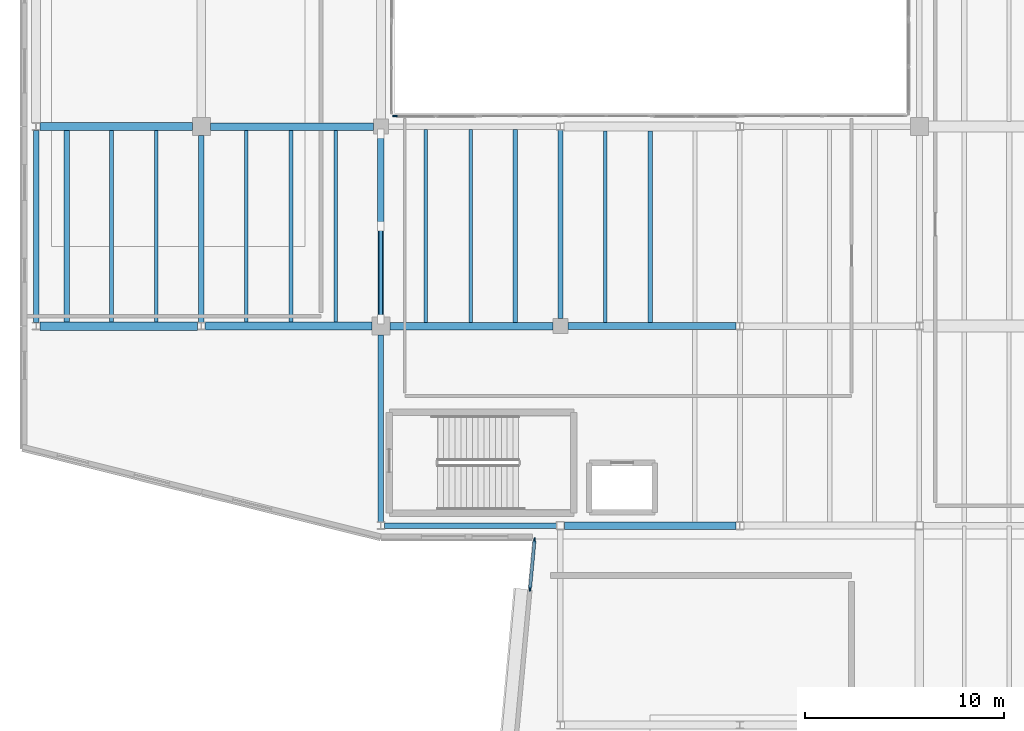
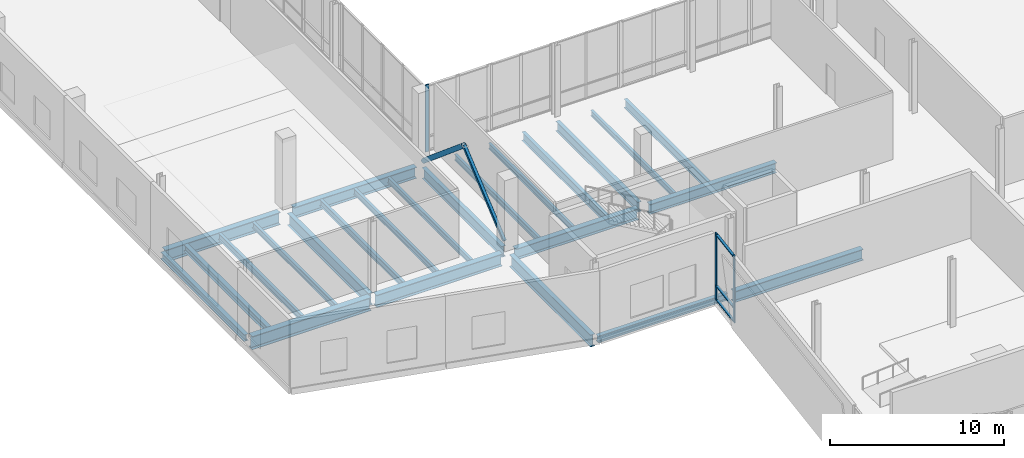
# One storey, part 18 of 73: 24 beams, 8 members, 2 elements without a shape of their own.
"""IFC4 building model written with IfcOpenShell, lengths in metres."""

from ifc_helpers import new_model, si_unit, direction, frame, origin, origin_2d, place, context, subcontext, project, spatial, rectangle, hollow_rectangle, hollow_circle, i_section, extrude, material, material_profile, profile_set, type_object, element, aggregate, save


model = new_model("IFC4")

# Units and contexts
model_context = context("Model", 3, precision=1e-05, world=origin(), true_north=direction((0.0, 1.0)))
body_context = subcontext(model_context, "Body", "Model", "MODEL_VIEW")
ifc_project = project(units=[si_unit("LENGTHUNIT", "METRE"), si_unit("AREAUNIT", "SQUARE_METRE"), si_unit("VOLUMEUNIT", "CUBIC_METRE"), si_unit("PLANEANGLEUNIT", "RADIAN"), si_unit("MASSUNIT", "GRAM", prefix="KILO")], contexts=[model_context])

# Site, building, storey
site_placement = place(None, origin())
site = spatial("IfcSite", under=ifc_project, at=site_placement, CompositionType="ELEMENT")
building_placement = place(site_placement, origin())
building = spatial("IfcBuilding", under=site, at=building_placement, Name="Trimount Lyric Opera House", CompositionType="ELEMENT")
storey_placement = place(building_placement, frame((0.0, 0.0, 10.0)))
storey = spatial("IfcBuildingStorey", under=building, at=storey_placement, Name="L02", CompositionType="ELEMENT", Elevation=10.0)

# Beams
ifc_material_1 = material(Name="Steel ASTM A992 Grade 50", Category="steel")
ifc_material_profile_1 = material_profile(ifc_material_1, i_section(OverallWidth=0.4189453125, OverallDepth=0.927001953125, WebThickness=0.019287109375, FlangeThickness=0.031982421875, FilletRadius=0.02392578125, at=origin_2d()), Name="W36X231")
ifc_profile_set_1 = profile_set([ifc_material_profile_1], Name="Steel ASTM A992 Grade 50")
beam_type_1 = type_object("IfcBeamType", Name="B-02", PredefinedType="BEAM", material=ifc_profile_set_1)
beam_1_placement = place(storey_placement, frame((0.904052734375, 64.0, -0.743408203125), z_axis=(1.0, 0.0, 0.0), x_axis=(0.0, 1.0, 0.0)))
element("IfcBeam", 1, at=beam_1_placement, inside=storey, type_object=beam_type_1, Name="L02 girder X-0749", PredefinedType="BEAM", context=body_context, shape_type="SweptSolid", body=[
    extrude(i_section(OverallWidth=0.4189453125, OverallDepth=0.927001953125, WebThickness=0.019287109375, FlangeThickness=0.031982421875, FilletRadius=0.02392578125, at=origin_2d()), origin(), (0.0, 0.0, 1.0), 7.909423828125),
])
ifc_material_2 = material(Name="Steel ASTM A992 Grade 50", Category="steel")
ifc_material_profile_2 = material_profile(ifc_material_2, i_section(OverallWidth=0.40087890625, OverallDepth=0.861083984375, WebThickness=0.019775390625, FlangeThickness=0.032470703125, FilletRadius=0.02001953125, at=origin_2d()), Name="W33X221")
ifc_profile_set_2 = profile_set([ifc_material_profile_2], Name="Steel ASTM A992 Grade 50")
beam_type_2 = type_object("IfcBeamType", Name="B-04", PredefinedType="BEAM", material=ifc_profile_set_2)
beam_2_placement = place(storey_placement, frame((9.1865234375, 64.0, -0.71044921875), z_axis=(1.0, 0.0, 0.0), x_axis=(0.0, 1.0, 0.0)))
element("IfcBeam", 2, at=beam_2_placement, inside=storey, type_object=beam_type_2, Name="L02 girder X-0750", PredefinedType="BEAM", context=body_context, shape_type="SweptSolid", body=[
    extrude(i_section(OverallWidth=0.40087890625, OverallDepth=0.861083984375, WebThickness=0.019775390625, FlangeThickness=0.032470703125, FilletRadius=0.02001953125, at=origin_2d()), origin(), (0.0, 0.0, 1.0), 8.363525390625),
])
beam_3_placement = place(storey_placement, frame((0.906494140625, 74.0, -0.71044921875), z_axis=(1.0, 0.0, 0.0), x_axis=(0.0, 1.0, 0.0)))
element("IfcBeam", 3, at=beam_3_placement, inside=storey, type_object=beam_type_2, Name="L02 girder X-0761", PredefinedType="BEAM", context=body_context, shape_type="SweptSolid", body=[
    extrude(i_section(OverallWidth=0.40087890625, OverallDepth=0.861083984375, WebThickness=0.019775390625, FlangeThickness=0.032470703125, FilletRadius=0.02001953125, at=origin_2d()), origin(), (0.0, 0.0, 1.0), 7.6435546875),
])
ifc_material_3 = material(Name="Steel ASTM A992 Grade 50", Category="steel")
ifc_material_profile_3 = material_profile(ifc_material_3, i_section(OverallWidth=0.2919921875, OverallDepth=0.845947265625, WebThickness=0.015380859375, FlangeThickness=0.0244140625, FilletRadius=0.01806640625, at=origin_2d()), Name="W33X141")
ifc_profile_set_3 = profile_set([ifc_material_profile_3], Name="Steel ASTM A992 Grade 50")
beam_type_3 = type_object("IfcBeamType", Name="B-05", PredefinedType="BEAM", material=ifc_profile_set_3)
for number, where, z_axis, x_axis, name in (
    (4, (9.0, 64.18408203125, -0.702880859375), (0.0, 1.0, 0.0), (-1.0, 0.0, 0.0), "L02 girder Y-0835"),
    (5, (18.0, 54.18408203125, -0.702880859375), (0.0, 1.0, 0.0), (-1.0, 0.0, 0.0), "L02 girder Y-0838"),
):
    element("IfcBeam", number, at=place(storey_placement, frame(where, z_axis=z_axis, x_axis=x_axis)), inside=storey, type_object=beam_type_3, Name=name, PredefinedType="BEAM", context=body_context, shape_type="SweptSolid", body=[
        extrude(i_section(OverallWidth=0.2919921875, OverallDepth=0.845947265625, WebThickness=0.015380859375, FlangeThickness=0.0244140625, FilletRadius=0.01806640625, at=origin_2d()), origin(), (0.0, 0.0, 1.0), 9.365966796875),
    ])
ifc_material_4 = material(Name="Steel ASTM A992 Grade 50", Category="steel")
ifc_material_profile_4 = material_profile(ifc_material_4, i_section(OverallWidth=0.382080078125, OverallDepth=0.779052734375, WebThickness=0.01806640625, FlangeThickness=0.0302734375, FilletRadius=0.01904296875, at=origin_2d()), Name="W30X191")
ifc_profile_set_4 = profile_set([ifc_material_profile_4], Name="Steel ASTM A992 Grade 50")
beam_type_4 = type_object("IfcBeamType", Name="B-06", PredefinedType="BEAM", material=ifc_profile_set_4)
beam_4_placement = place(storey_placement, frame((27.203125, 54.0, -0.66943359375), z_axis=(1.0, 0.0, 0.0), x_axis=(0.0, 1.0, 0.0)))
element("IfcBeam", 6, at=beam_4_placement, inside=storey, type_object=beam_type_4, Name="L02 girder X-0736", PredefinedType="BEAM", context=body_context, shape_type="SweptSolid", body=[
    extrude(i_section(OverallWidth=0.382080078125, OverallDepth=0.779052734375, WebThickness=0.01806640625, FlangeThickness=0.0302734375, FilletRadius=0.01904296875, at=origin_2d()), origin(), (0.0, 0.0, 1.0), 8.593994140625),
])
for number, where, z_axis, x_axis, name in (
    (7, (18.449951171875, 64.0, -0.66943359375), (1.0, 0.0, 0.0), (0.0, 1.0, 0.0), "L02 girder X-0751"),
    (8, (9.449951171875, 74.0, -0.66943359375), (1.0, 0.0, 0.0), (0.0, 1.0, 0.0), "L02 girder X-0762"),
):
    element("IfcBeam", number, at=place(storey_placement, frame(where, z_axis=z_axis, x_axis=x_axis)), inside=storey, type_object=beam_type_4, Name=name, PredefinedType="BEAM", context=body_context, shape_type="SweptSolid", body=[
        extrude(i_section(OverallWidth=0.382080078125, OverallDepth=0.779052734375, WebThickness=0.01806640625, FlangeThickness=0.0302734375, FilletRadius=0.01904296875, at=origin_2d()), origin(), (0.0, 0.0, 1.0), 8.175048828125),
    ])
ifc_material_5 = material(Name="Steel ASTM A992 Grade 50", Category="steel")
ifc_material_profile_5 = material_profile(ifc_material_5, i_section(OverallWidth=0.26708984375, OverallDepth=0.761962890625, WebThickness=0.014404296875, FlangeThickness=0.021484375, FilletRadius=0.01708984375, at=origin_2d()), Name="W30X116")
ifc_profile_set_5 = profile_set([ifc_material_profile_5], Name="Steel ASTM A992 Grade 50")
beam_type_5 = type_object("IfcBeamType", Name="B-07", PredefinedType="BEAM", material=ifc_profile_set_5)
beam_5_placement = place(storey_placement, frame((18.0, 64.449951171875, -0.660888671875), z_axis=(0.0, 1.0, 0.0), x_axis=(-1.0, 0.0, 0.0)))
element("IfcBeam", 9, at=beam_5_placement, inside=storey, type_object=beam_type_5, Name="L02 girder Y-0839", PredefinedType="BEAM", context=body_context, shape_type="SweptSolid", body=[
    extrude(i_section(OverallWidth=0.26708984375, OverallDepth=0.761962890625, WebThickness=0.014404296875, FlangeThickness=0.021484375, FilletRadius=0.01708984375, at=origin_2d()), origin(), (0.0, 0.0, 1.0), 9.175048828125),
])
ifc_material_6 = material(Name="Steel ASTM A992 Grade 50", Category="steel")
ifc_material_profile_6 = material_profile(ifc_material_6, i_section(OverallWidth=0.35595703125, OverallDepth=0.700927734375, WebThickness=0.016845703125, FlangeThickness=0.02734375, FilletRadius=0.01806640625, at=origin_2d()), Name="W27X161")
ifc_profile_set_6 = profile_set([ifc_material_profile_6], Name="Steel ASTM A992 Grade 50")
beam_type_6 = type_object("IfcBeamType", Name="B-08", PredefinedType="BEAM", material=ifc_profile_set_6)
beam_6_placement = place(storey_placement, frame((27.375, 64.0, -0.630615234375), z_axis=(1.0, 0.0, 0.0), x_axis=(0.0, 1.0, 0.0)))
element("IfcBeam", 10, at=beam_6_placement, inside=storey, type_object=beam_type_6, Name="L02 girder X-0752", PredefinedType="BEAM", context=body_context, shape_type="SweptSolid", body=[
    extrude(i_section(OverallWidth=0.35595703125, OverallDepth=0.700927734375, WebThickness=0.016845703125, FlangeThickness=0.02734375, FilletRadius=0.01806640625, at=origin_2d()), origin(), (0.0, 0.0, 1.0), 8.44091796875),
])
ifc_material_7 = material(Name="Steel ASTM A992 Grade 50", Category="steel")
ifc_material_profile_7 = material_profile(ifc_material_7, i_section(OverallWidth=0.25390625, OverallDepth=0.68798828125, WebThickness=0.01318359375, FlangeThickness=0.02099609375, FilletRadius=0.01611328125, at=origin_2d()), Name="W27X102")
ifc_profile_set_7 = profile_set([ifc_material_profile_7], Name="Steel ASTM A992 Grade 50")
beam_type_7 = type_object("IfcBeamType", Name="B-09", PredefinedType="BEAM", material=ifc_profile_set_7)
beam_7_placement = place(storey_placement, frame((27.0, 64.375, -0.6240234375), z_axis=(0.0, 1.0, 0.0), x_axis=(-1.0, 0.0, 0.0)))
element("IfcBeam", 11, at=beam_7_placement, inside=storey, type_object=beam_type_7, Name="L02 girder Y-0846", PredefinedType="BEAM", context=body_context, shape_type="SweptSolid", body=[
    extrude(i_section(OverallWidth=0.25390625, OverallDepth=0.68798828125, WebThickness=0.01318359375, FlangeThickness=0.02099609375, FilletRadius=0.01611328125, at=origin_2d()), origin(), (0.0, 0.0, 1.0), 9.447021484375),
])

# Members
ifc_material_8 = material(Name="Steel ASTM A500 Grade C", Category="steel")
ifc_material_profile_8 = material_profile(ifc_material_8, hollow_rectangle(XDim=0.203125, YDim=0.203125, WallThickness=0.0087890625, InnerFilletRadius=0.00927734375, OuterFilletRadius=0.01806640625, at=origin_2d()), Name="HSS203.2X203.2X9.5")
ifc_profile_set_8 = profile_set([ifc_material_profile_8], Name="Steel ASTM A500 Grade C")
member_type_1 = type_object("IfcMemberType", Name="BR-04", PredefinedType="BRACE", material=ifc_profile_set_8)
member_1_placement = place(storey_placement, frame((18.0, 64.35009765625, 0.14990234375), z_axis=(0.0, 0.766173014074, 0.642634353661), x_axis=(-1.0, 0.0, 0.0)))
element("IfcMember", 12, at=member_1_placement, inside=storey, type_object=member_type_1, Name="L02 lateral chevron brace BF-1.1", PredefinedType="BRACE", context=body_context, shape_type="SweptSolid", body=[
    extrude(hollow_rectangle(XDim=0.203125, YDim=0.203125, WallThickness=0.0087890625, InnerFilletRadius=0.00927734375, OuterFilletRadius=0.01806640625, at=origin_2d()), origin(), (0.0, 0.0, 1.0), 6.069091796875),
])
ifc_material_9 = material(Name="Steel ASTM A500 Grade C", Category="steel")
ifc_material_profile_9 = material_profile(ifc_material_9, hollow_circle(Radius=0.161865234375, WallThickness=0.01171875, at=origin_2d()), Name="HSS323.9X12.7")
ifc_profile_set_9 = profile_set([ifc_material_profile_9], Name="Steel ASTM A500 Grade C")
member_type_2 = type_object("IfcMemberType", Name="BR-05", PredefinedType="BRACE", material=ifc_profile_set_9)
member_2_placement = place(storey_placement, frame((18.0, 73.64990234375, 0.14990234375), z_axis=(0.0, -0.766173014074, 0.642634353661), x_axis=(1.0, 0.0, 0.0)))
element("IfcMember", 13, at=member_2_placement, inside=storey, type_object=member_type_2, Name="L02 lateral chevron brace BF-1.2", PredefinedType="BRACE", context=body_context, shape_type="SweptSolid", body=[
    extrude(hollow_circle(Radius=0.161865234375, WallThickness=0.01171875, at=origin_2d()), origin(), (0.0, 0.0, 1.0), 6.069091796875),
])

# Beams
ifc_material_10 = material(Name="Steel ASTM A992 Grade 50", Category="steel")
ifc_material_profile_10 = material_profile(ifc_material_10, i_section(OverallWidth=0.22802734375, OverallDepth=0.60205078125, WebThickness=0.010498046875, FlangeThickness=0.014892578125, FilletRadius=0.012939453125, at=origin_2d()), Name="W24X68")
ifc_profile_set_10 = profile_set([ifc_material_profile_10], Name="Steel ASTM A992 Grade 50")
beam_type_8 = type_object("IfcBeamType", Name="J-01", PredefinedType="BEAM", material=ifc_profile_set_10)
beam_8_placement = place(storey_placement, frame((24.75, 64.18701171875, -0.5810546875), z_axis=(0.0, 1.0, 0.0), x_axis=(-1.0, 0.0, 0.0)))
element("IfcBeam", 14, at=beam_8_placement, inside=storey, type_object=beam_type_8, Name="L02 composite floor joist 0817", PredefinedType="BEAM", context=body_context, shape_type="SweptSolid", body=[
    extrude(i_section(OverallWidth=0.22802734375, OverallDepth=0.60205078125, WebThickness=0.010498046875, FlangeThickness=0.014892578125, FilletRadius=0.012939453125, at=origin_2d()), origin(), (0.0, 0.0, 1.0), 9.676025390625),
])
beam_9_placement = place(storey_placement, frame((31.5, 64.174072265625, -0.5810546875), z_axis=(0.0, 1.0, 0.0), x_axis=(-1.0, 0.0, 0.0)))
element("IfcBeam", 15, at=beam_9_placement, inside=storey, type_object=beam_type_8, Name="L02 composite floor joist 0826", PredefinedType="BEAM", context=body_context, shape_type="SweptSolid", body=[
    extrude(i_section(OverallWidth=0.22802734375, OverallDepth=0.60205078125, WebThickness=0.010498046875, FlangeThickness=0.014892578125, FilletRadius=0.012939453125, at=origin_2d()), origin(), (0.0, 0.0, 1.0), 9.60498046875),
])
ifc_material_11 = material(Name="Steel ASTM A992 Grade 50", Category="steel")
ifc_material_profile_11 = material_profile(ifc_material_11, i_section(OverallWidth=0.281982421875, OverallDepth=0.467041015625, WebThickness=0.01220703125, FlangeThickness=0.01953125, FilletRadius=0.012939453125, at=origin_2d()), Name="W18X86")
ifc_profile_set_11 = profile_set([ifc_material_profile_11], Name="Steel ASTM A992 Grade 50")
beam_type_9 = type_object("IfcBeamType", Name="J-03", PredefinedType="BEAM", material=ifc_profile_set_11)
beam_10_placement = place(storey_placement, frame((2.25, 64.20556640625, -0.513427734375), z_axis=(0.0, 1.0, 0.0), x_axis=(-1.0, 0.0, 0.0)))
element("IfcBeam", 16, at=beam_10_placement, inside=storey, type_object=beam_type_9, Name="L02 composite floor joist 0803", PredefinedType="BEAM", context=body_context, shape_type="SweptSolid", body=[
    extrude(i_section(OverallWidth=0.281982421875, OverallDepth=0.467041015625, WebThickness=0.01220703125, FlangeThickness=0.01953125, FilletRadius=0.012939453125, at=origin_2d()), origin(), (0.0, 0.0, 1.0), 9.597900390625),
])
ifc_material_12 = material(Name="Steel ASTM A992 Grade 50", Category="steel")
ifc_material_profile_12 = material_profile(ifc_material_12, i_section(OverallWidth=0.19091796875, OverallDepth=0.45703125, WebThickness=0.009033203125, FlangeThickness=0.014404296875, FilletRadius=0.010986328125, at=origin_2d()), Name="W18X50")
ifc_profile_set_12 = profile_set([ifc_material_profile_12], Name="Steel ASTM A992 Grade 50")
beam_type_10 = type_object("IfcBeamType", Name="J-04", PredefinedType="BEAM", material=ifc_profile_set_12)
beam_11_placement = place(storey_placement, frame((4.5, 64.20556640625, -0.508544921875), z_axis=(0.0, 1.0, 0.0), x_axis=(-1.0, 0.0, 0.0)))
element("IfcBeam", 17, at=beam_11_placement, inside=storey, type_object=beam_type_10, Name="L02 composite floor joist 0804", PredefinedType="BEAM", context=body_context, shape_type="SweptSolid", body=[
    extrude(i_section(OverallWidth=0.19091796875, OverallDepth=0.45703125, WebThickness=0.009033203125, FlangeThickness=0.014404296875, FilletRadius=0.010986328125, at=origin_2d()), origin(), (0.0, 0.0, 1.0), 9.597900390625),
])
beam_12_placement = place(storey_placement, frame((11.25, 64.196533203125, -0.508544921875), z_axis=(0.0, 1.0, 0.0), x_axis=(-1.0, 0.0, 0.0)))
element("IfcBeam", 18, at=beam_12_placement, inside=storey, type_object=beam_type_10, Name="L02 composite floor joist 0809", PredefinedType="BEAM", context=body_context, shape_type="SweptSolid", body=[
    extrude(i_section(OverallWidth=0.19091796875, OverallDepth=0.45703125, WebThickness=0.009033203125, FlangeThickness=0.014404296875, FilletRadius=0.010986328125, at=origin_2d()), origin(), (0.0, 0.0, 1.0), 9.616455078125),
])
ifc_material_13 = material(Name="Steel ASTM A992 Grade 50", Category="steel")
ifc_material_profile_13 = material_profile(ifc_material_13, i_section(OverallWidth=0.180908203125, OverallDepth=0.4169921875, WebThickness=0.010986328125, FlangeThickness=0.018310546875, FilletRadius=0.010986328125, at=origin_2d()), Name="W16X57")
ifc_profile_set_13 = profile_set([ifc_material_profile_13], Name="Steel ASTM A992 Grade 50")
beam_type_11 = type_object("IfcBeamType", Name="J-05", PredefinedType="BEAM", material=ifc_profile_set_13)
beam_13_placement = place(storey_placement, frame((6.75, 64.20556640625, -0.488525390625), z_axis=(0.0, 1.0, 0.0), x_axis=(-1.0, 0.0, 0.0)))
element("IfcBeam", 19, at=beam_13_placement, inside=storey, type_object=beam_type_11, Name="L02 composite floor joist 0805", PredefinedType="BEAM", context=body_context, shape_type="SweptSolid", body=[
    extrude(i_section(OverallWidth=0.180908203125, OverallDepth=0.4169921875, WebThickness=0.010986328125, FlangeThickness=0.018310546875, FilletRadius=0.010986328125, at=origin_2d()), origin(), (0.0, 0.0, 1.0), 9.597900390625),
])
beam_14_placement = place(storey_placement, frame((13.5, 64.196533203125, -0.488525390625), z_axis=(0.0, 1.0, 0.0), x_axis=(-1.0, 0.0, 0.0)))
element("IfcBeam", 20, at=beam_14_placement, inside=storey, type_object=beam_type_11, Name="L02 composite floor joist 0810", PredefinedType="BEAM", context=body_context, shape_type="SweptSolid", body=[
    extrude(i_section(OverallWidth=0.180908203125, OverallDepth=0.4169921875, WebThickness=0.010986328125, FlangeThickness=0.018310546875, FilletRadius=0.010986328125, at=origin_2d()), origin(), (0.0, 0.0, 1.0), 9.616455078125),
])
beam_15_placement = place(storey_placement, frame((20.25, 64.18701171875, -0.488525390625), z_axis=(0.0, 1.0, 0.0), x_axis=(-1.0, 0.0, 0.0)))
element("IfcBeam", 21, at=beam_15_placement, inside=storey, type_object=beam_type_11, Name="L02 composite floor joist 0815", PredefinedType="BEAM", context=body_context, shape_type="SweptSolid", body=[
    extrude(i_section(OverallWidth=0.180908203125, OverallDepth=0.4169921875, WebThickness=0.010986328125, FlangeThickness=0.018310546875, FilletRadius=0.010986328125, at=origin_2d()), origin(), (0.0, 0.0, 1.0), 9.676025390625),
])
ifc_material_14 = material(Name="Steel ASTM A992 Grade 50", Category="steel")
ifc_material_profile_14 = material_profile(ifc_material_14, i_section(OverallWidth=0.177978515625, OverallDepth=0.404052734375, WebThickness=0.007568359375, FlangeThickness=0.010986328125, FilletRadius=0.010009765625, at=origin_2d()), Name="W16X36")
ifc_profile_set_14 = profile_set([ifc_material_profile_14], Name="Steel ASTM A992 Grade 50")
beam_type_12 = type_object("IfcBeamType", Name="J-06", PredefinedType="BEAM", material=ifc_profile_set_14)
beam_16_placement = place(storey_placement, frame((15.75, 64.196533203125, -0.48193359375), z_axis=(0.0, 1.0, 0.0), x_axis=(-1.0, 0.0, 0.0)))
element("IfcBeam", 22, at=beam_16_placement, inside=storey, type_object=beam_type_12, Name="L02 composite floor joist 0811", PredefinedType="BEAM", context=body_context, shape_type="SweptSolid", body=[
    extrude(i_section(OverallWidth=0.177978515625, OverallDepth=0.404052734375, WebThickness=0.007568359375, FlangeThickness=0.010986328125, FilletRadius=0.010009765625, at=origin_2d()), origin(), (0.0, 0.0, 1.0), 9.616455078125),
])
beam_17_placement = place(storey_placement, frame((22.5, 64.18701171875, -0.48193359375), z_axis=(0.0, 1.0, 0.0), x_axis=(-1.0, 0.0, 0.0)))
element("IfcBeam", 23, at=beam_17_placement, inside=storey, type_object=beam_type_12, Name="L02 composite floor joist 0816", PredefinedType="BEAM", context=body_context, shape_type="SweptSolid", body=[
    extrude(i_section(OverallWidth=0.177978515625, OverallDepth=0.404052734375, WebThickness=0.007568359375, FlangeThickness=0.010986328125, FilletRadius=0.010009765625, at=origin_2d()), origin(), (0.0, 0.0, 1.0), 9.676025390625),
])
beam_18_placement = place(storey_placement, frame((29.25, 64.174072265625, -0.48193359375), z_axis=(0.0, 1.0, 0.0), x_axis=(-1.0, 0.0, 0.0)))
element("IfcBeam", 24, at=beam_18_placement, inside=storey, type_object=beam_type_12, Name="L02 composite floor joist 0825", PredefinedType="BEAM", context=body_context, shape_type="SweptSolid", body=[
    extrude(i_section(OverallWidth=0.177978515625, OverallDepth=0.404052734375, WebThickness=0.007568359375, FlangeThickness=0.010986328125, FilletRadius=0.010009765625, at=origin_2d()), origin(), (0.0, 0.0, 1.0), 9.60498046875),
])

# Curtain wall, members
ifc_material_15 = material(Name="Thermally Broken Aluminium and Low-E Glass", Category="aluminium")
curtain_wall_type_1 = type_object("IfcCurtainWallType", Name="CW-02", PredefinedType="NOTDEFINED", material=ifc_material_15)
curtain_wall_1_placement = place(storey_placement, origin())
curtain_wall_1 = element("IfcCurtainWall", 25, at=curtain_wall_1_placement, inside=storey, type_object=curtain_wall_type_1, Name="L02 crystal fold glazed slit 168", PredefinedType="NOTDEFINED")
ifc_material_16 = material(Name="Anodised Aluminium 6063-T6", Category="aluminium")
ifc_material_profile_15 = material_profile(ifc_material_16, rectangle(XDim=0.070068359375, YDim=0.219970703125, at=origin_2d()), Name="ALU-MULL-70X220")
ifc_profile_set_15 = profile_set([ifc_material_profile_15], Name="Anodised Aluminium 6063-T6")
member_type_3 = type_object("IfcMemberType", Name="ML-01", PredefinedType="MULLION", material=ifc_profile_set_15)
member_3_placement = place(storey_placement, frame((25.478271484375, 50.825927734375, 0.0), z_axis=(0.0, 0.0, 1.0), x_axis=(-0.995676595969, 0.092887653861, 0.0)))
member_3 = element("IfcMember", 26, at=member_3_placement, type_object=member_type_3, Name="CW-02 mullion 1", PredefinedType="MULLION", context=body_context, shape_type="SweptSolid", body=[
    extrude(rectangle(XDim=0.070068359375, YDim=0.219970703125, at=origin_2d()), origin(), (0.0, 0.0, 1.0), 4.719970703125),
])
member_4_placement = place(storey_placement, frame((25.706787109375, 53.275146484375, 0.0), z_axis=(0.0, 0.0, 1.0), x_axis=(-0.995676595969, 0.092887653861, 0.0)))
member_4 = element("IfcMember", 27, at=member_4_placement, type_object=member_type_3, Name="CW-02 mullion 2", PredefinedType="MULLION", context=body_context, shape_type="SweptSolid", body=[
    extrude(rectangle(XDim=0.070068359375, YDim=0.219970703125, at=origin_2d()), origin(), (0.0, 0.0, 1.0), 4.719970703125),
])

# Curtain wall, member
ifc_material_17 = material(Name="Thermally Broken Aluminium and Low-E Glass", Category="aluminium")
curtain_wall_type_2 = type_object("IfcCurtainWallType", Name="CW-03", PredefinedType="NOTDEFINED", material=ifc_material_17)
curtain_wall_2_placement = place(storey_placement, origin())
curtain_wall_2 = element("IfcCurtainWall", 28, at=curtain_wall_2_placement, inside=storey, type_object=curtain_wall_type_2, Name="L02 curtain wall 198", PredefinedType="NOTDEFINED")
member_5_placement = place(storey_placement, frame((18.715087890625, 74.5400390625, 0.0), z_axis=(0.0, 0.0, 1.0), x_axis=(0.0, 1.0, 0.0)))
member_5 = element("IfcMember", 29, at=member_5_placement, type_object=member_type_3, Name="CW-03 mullion 1", PredefinedType="MULLION", context=body_context, shape_type="SweptSolid", body=[
    extrude(rectangle(XDim=0.070068359375, YDim=0.219970703125, at=origin_2d()), origin(), (0.0, 0.0, 1.0), 4.719970703125),
])
aggregate(curtain_wall_2, [member_5])

# Beams
ifc_material_18 = material(Name="Steel ASTM A992 Grade 50", Category="steel")
ifc_material_profile_16 = material_profile(ifc_material_18, i_section(OverallWidth=0.281982421875, OverallDepth=0.467041015625, WebThickness=0.01220703125, FlangeThickness=0.01953125, FilletRadius=0.012939453125, at=origin_2d()), Name="W18X86")
ifc_profile_set_16 = profile_set([ifc_material_profile_16], Name="Steel ASTM A992 Grade 50")
beam_type_13 = type_object("IfcBeamType", Name="SP-01", PredefinedType="SPANDREL", material=ifc_profile_set_16)
beam_19_placement = place(storey_placement, frame((18.1865234375, 54.0, -0.513427734375), z_axis=(1.0, 0.0, 0.0), x_axis=(0.0, 1.0, 0.0)))
element("IfcBeam", 30, at=beam_19_placement, inside=storey, type_object=beam_type_13, Name="L02 girder X-0735", PredefinedType="SPANDREL", context=body_context, shape_type="SweptSolid", body=[
    extrude(i_section(OverallWidth=0.281982421875, OverallDepth=0.467041015625, WebThickness=0.01220703125, FlangeThickness=0.01953125, FilletRadius=0.012939453125, at=origin_2d()), origin(), (0.0, 0.0, 1.0), 8.6103515625),
])
beam_20_placement = place(storey_placement, frame((0.719970703125, 64.177978515625, -0.513427734375), z_axis=(0.0, 1.0, 0.0), x_axis=(-1.0, 0.0, 0.0)))
element("IfcBeam", 31, at=beam_20_placement, inside=storey, type_object=beam_type_13, Name="L02 girder Y-0829", PredefinedType="SPANDREL", context=body_context, shape_type="SweptSolid", body=[
    extrude(i_section(OverallWidth=0.281982421875, OverallDepth=0.467041015625, WebThickness=0.01220703125, FlangeThickness=0.01953125, FilletRadius=0.012939453125, at=origin_2d()), origin(), (0.0, 0.0, 1.0), 9.637939453125),
])

# Member
ifc_material_19 = material(Name="Anodised Aluminium 6063-T6", Category="aluminium")
ifc_material_profile_17 = material_profile(ifc_material_19, rectangle(XDim=0.159912109375, YDim=0.070068359375, at=origin_2d()), Name="ALU-TRAN-70X160")
ifc_profile_set_17 = profile_set([ifc_material_profile_17], Name="Anodised Aluminium 6063-T6")
member_type_4 = type_object("IfcMemberType", Name="TR-01", PredefinedType="USERDEFINED", material=ifc_profile_set_17)
member_6_placement = place(storey_placement, frame((25.4814453125, 50.860595703125, 0.080078125), z_axis=(0.092957806959, 0.995670048824, 0.0), x_axis=(-0.995670048824, 0.092957806959, 0.0)))
member_6 = element("IfcMember", 32, at=member_6_placement, type_object=member_type_4, Name="CW-02 transom 1.1", ObjectType="TRANSOM", PredefinedType="USERDEFINED", context=body_context, shape_type="SweptSolid", body=[
    extrude(rectangle(XDim=0.159912109375, YDim=0.070068359375, at=origin_2d()), origin(), (0.0, 0.0, 1.0), 2.389892578125),
])

member_7_placement = place(storey_placement, frame((25.4814453125, 50.860595703125, 1.050048828125), z_axis=(0.092957806959, 0.995670048824, 0.0), x_axis=(-0.995670048824, 0.092957806959, 0.0)))
member_7 = element("IfcMember", 33, at=member_7_placement, type_object=member_type_4, Name="CW-02 transom 1.2", ObjectType="TRANSOM", PredefinedType="USERDEFINED", context=body_context, shape_type="SweptSolid", body=[
    extrude(rectangle(XDim=0.159912109375, YDim=0.070068359375, at=origin_2d()), origin(), (0.0, 0.0, 1.0), 2.389892578125),
])

member_8_placement = place(storey_placement, frame((25.4814453125, 50.860595703125, 4.639892578125), z_axis=(0.092957806959, 0.995670048824, 0.0), x_axis=(-0.995670048824, 0.092957806959, 0.0)))
member_8 = element("IfcMember", 34, at=member_8_placement, type_object=member_type_4, Name="CW-02 transom 1.3", ObjectType="TRANSOM", PredefinedType="USERDEFINED", context=body_context, shape_type="SweptSolid", body=[
    extrude(rectangle(XDim=0.159912109375, YDim=0.070068359375, at=origin_2d()), origin(), (0.0, 0.0, 1.0), 2.389892578125),
])

aggregate(curtain_wall_1, [member_3, member_4, member_6, member_7, member_8])

save(model, "model.ifc")
